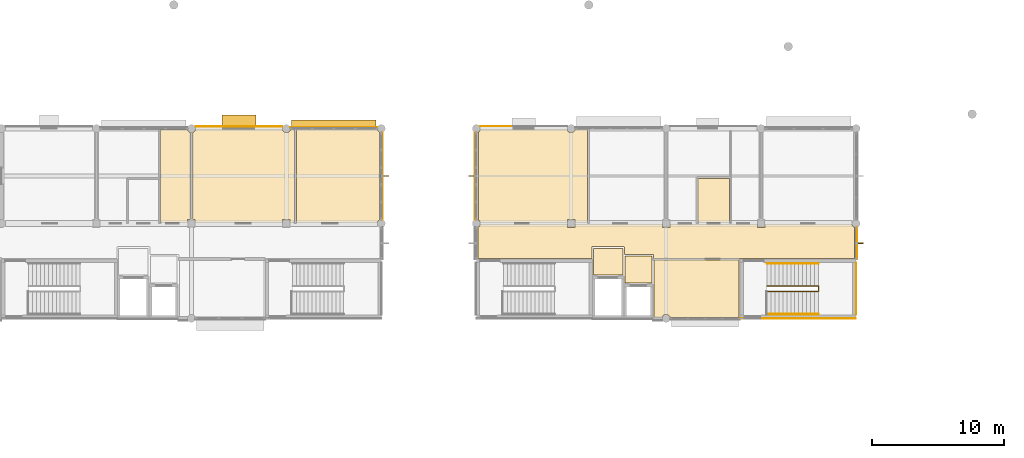
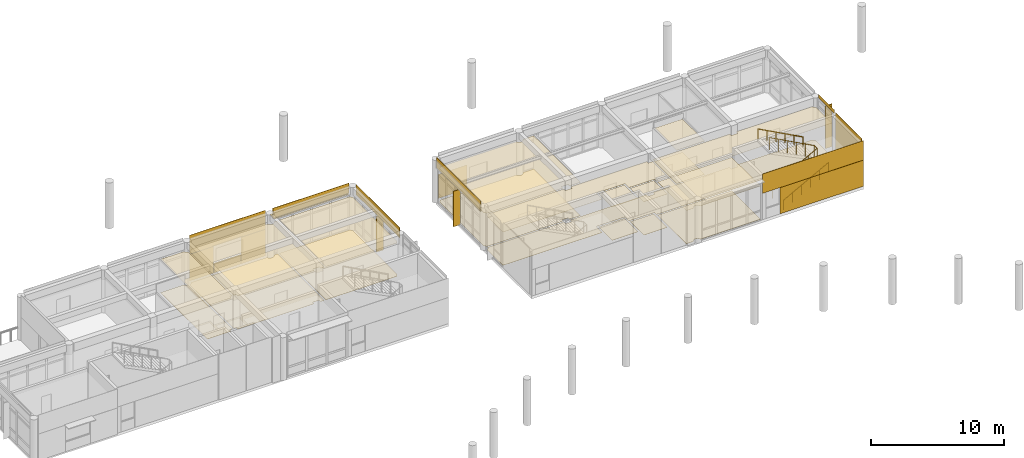
# One storey, part 28 of 29: 30 coverings, 5 shading devices, 3 railings.
"""IFC4 building model written with IfcOpenShell, lengths in metres."""

from ifc_helpers import new_model, si_unit, direction, frame, origin, origin_2d, place, context, subcontext, project, spatial, polyline, rectangle, circle, outline, extrude, material, layer, layer_set, type_object, element, save


model = new_model("IFC4")

# Units and contexts
model_context = context("Model", 3, precision=1e-05, world=origin(), true_north=direction((0.0, 1.0)))
body_context = subcontext(model_context, "Body", "Model", "MODEL_VIEW")
ifc_project = project(units=[si_unit("LENGTHUNIT", "METRE"), si_unit("AREAUNIT", "SQUARE_METRE"), si_unit("VOLUMEUNIT", "CUBIC_METRE"), si_unit("PLANEANGLEUNIT", "RADIAN"), si_unit("MASSUNIT", "GRAM", prefix="KILO")], contexts=[model_context])

# Site, building, storey
site_placement = place(None, origin())
site = spatial("IfcSite", under=ifc_project, at=site_placement, CompositionType="ELEMENT")
building_placement = place(site_placement, origin())
building = spatial("IfcBuilding", under=site, at=building_placement, Name="Namkhue Oval Health Centre", CompositionType="ELEMENT")
storey_placement = place(building_placement, frame((0.0, 0.0, 18.0)))
storey = spatial("IfcBuildingStorey", under=building, at=storey_placement, Name="L04", CompositionType="ELEMENT", Elevation=18.0)

# Coverings
ifc_material_1 = material(Name="Acoustic mineral-fibre cleanroom ceiling", Category="gypsum")
ifc_layer_1 = layer(ifc_material_1, 0.02001953125)
ifc_layer_set_1 = layer_set([ifc_layer_1], Name="Acoustic mineral-fibre cleanroom ceiling")
covering_type_1 = type_object("IfcCoveringType", Name="ACOUSTIC CLEANROOM CEILING 20", PredefinedType="CEILING", material=ifc_layer_set_1)
covering_1_placement = place(storey_placement, frame((0.0, 0.0, 3.050048828125)))
element("IfcCovering", 1, at=covering_1_placement, inside=storey, type_object=covering_type_1, Name="Acoustic Ceiling L04-LL3 Lift Lobby LF-03", PredefinedType="CEILING", context=body_context, shape_type="SweptSolid", body=[
    extrude(outline(polyline([(102.47998046875, 93.280029296875), (102.47998046875, 95.320068359375), (104.719970703125, 95.320068359375), (104.719970703125, 93.280029296875), (102.47998046875, 93.280029296875)])), origin(), (0.0, 0.0, 1.0), 0.02001953125),
])
covering_2_placement = place(storey_placement, frame((0.0, 0.0, 3.050048828125)))
element("IfcCovering", 2, at=covering_2_placement, inside=storey, type_object=covering_type_1, Name="Acoustic Ceiling L04-LL4 Lift Lobby LF-04", PredefinedType="CEILING", context=body_context, shape_type="SweptSolid", body=[
    extrude(outline(polyline([(104.8798828125, 92.679931640625), (104.8798828125, 94.719970703125), (106.919921875, 94.719970703125), (106.919921875, 92.679931640625), (104.8798828125, 92.679931640625)])), origin(), (0.0, 0.0, 1.0), 0.02001953125),
])
covering_3_placement = place(storey_placement, frame((0.0, 0.0, 3.050048828125)))
element("IfcCovering", 3, at=covering_3_placement, inside=storey, type_object=covering_type_1, Name="Acoustic Ceiling L04-204 Public Washroom", PredefinedType="CEILING", context=body_context, shape_type="SweptSolid", body=[
    extrude(outline(polyline([(69.659912109375, 97.280029296875), (69.659912109375, 104.31494140625), (71.702392578125, 104.31494140625), (71.7314453125, 104.2451171875), (71.78076171875, 104.180908203125), (71.844970703125, 104.131591796875), (71.919921875, 104.1005859375), (71.929931640625, 104.09912109375), (71.929931640625, 97.485107421875), (71.715087890625, 97.485107421875), (71.715087890625, 97.280029296875), (69.659912109375, 97.280029296875)])), origin(), (0.0, 0.0, 1.0), 0.02001953125),
])
covering_4_placement = place(storey_placement, frame((0.0, 0.0, 3.050048828125)))
element("IfcCovering", 4, at=covering_4_placement, inside=storey, type_object=covering_type_1, Name="Acoustic Ceiling L04-205 Metabolic Endocrine Clinic", PredefinedType="CEILING", context=body_context, shape_type="SweptSolid", body=[
    extrude(outline(polyline([(79.485107421875, 97.280029296875), (79.485107421875, 97.485107421875), (78.9150390625, 97.485107421875), (78.9150390625, 97.280029296875), (72.284912109375, 97.280029296875), (72.284912109375, 97.485107421875), (72.070068359375, 97.485107421875), (72.070068359375, 104.09912109375), (72.080078125, 104.1005859375), (72.155029296875, 104.131591796875), (72.21923828125, 104.180908203125), (72.2685546875, 104.2451171875), (72.297607421875, 104.31494140625), (78.902587890625, 104.31494140625), (78.931396484375, 104.2451171875), (78.980712890625, 104.180908203125), (79.044921875, 104.131591796875), (79.119873046875, 104.1005859375), (79.199951171875, 104.090087890625), (79.2802734375, 104.1005859375), (79.35498046875, 104.131591796875), (79.419189453125, 104.180908203125), (79.468505859375, 104.2451171875), (79.49755859375, 104.31494140625), (79.81005859375, 104.31494140625), (79.81005859375, 97.280029296875), (79.485107421875, 97.280029296875)])), origin(), (0.0, 0.0, 1.0), 0.02001953125),
])
covering_5_placement = place(storey_placement, frame((0.0, 0.0, 3.050048828125)))
element("IfcCovering", 5, at=covering_5_placement, inside=storey, type_object=covering_type_1, Name="Acoustic Ceiling L04-206 Nutrition Dietetics Consultation", PredefinedType="CEILING", context=body_context, shape_type="SweptSolid", body=[
    extrude(outline(polyline([(79.949951171875, 97.280029296875), (79.949951171875, 104.31494140625), (86.1025390625, 104.31494140625), (86.131591796875, 104.2451171875), (86.180908203125, 104.180908203125), (86.2451171875, 104.131591796875), (86.2451171875, 97.468505859375), (86.180908203125, 97.419189453125), (86.131591796875, 97.35498046875), (86.1005859375, 97.280029296875), (79.949951171875, 97.280029296875)])), origin(), (0.0, 0.0, 1.0), 0.02001953125),
])
covering_6_placement = place(storey_placement, frame((0.0, 0.0, 3.050048828125)))
element("IfcCovering", 6, at=covering_6_placement, inside=storey, type_object=covering_type_1, Name="Acoustic Ceiling L04-V3-C1 V3 Clinical Corridor", PredefinedType="CEILING", context=body_context, shape_type="SweptSolid", body=[
    extrude(outline(polyline([(107.0400390625, 94.800048828125), (107.037109375, 94.815185546875), (107.0283203125, 94.828369140625), (107.015380859375, 94.8369140625), (107.0, 94.840087890625), (104.840087890625, 94.840087890625), (104.83984375, 95.40380859375), (104.8369140625, 95.415283203125), (104.828369140625, 95.42822265625), (104.815185546875, 95.43701171875), (104.803955078125, 95.439697265625), (102.39990234375, 95.43994140625), (102.384765625, 95.43701171875), (102.37158203125, 95.42822265625), (102.363037109375, 95.415283203125), (102.360107421875, 95.39990234375), (102.360107421875, 94.5400390625), (93.72509765625, 94.5400390625), (93.72509765625, 96.919189453125), (93.7548828125, 96.931396484375), (93.819091796875, 96.980712890625), (93.868408203125, 97.044921875), (93.8994140625, 97.119873046875), (93.90478515625, 97.159912109375), (100.514892578125, 97.159912109375), (100.514892578125, 96.9150390625), (101.0849609375, 96.9150390625), (101.0849609375, 97.159912109375), (107.715087890625, 97.159912109375), (107.715087890625, 96.9150390625), (108.284912109375, 96.9150390625), (108.284912109375, 97.159912109375), (114.9150390625, 97.159912109375), (114.9150390625, 96.9150390625), (115.485107421875, 96.9150390625), (115.485107421875, 97.159912109375), (122.09521484375, 97.159912109375), (122.1005859375, 97.119873046875), (122.131591796875, 97.044921875), (122.180908203125, 96.980712890625), (122.2451171875, 96.931396484375), (122.27490234375, 96.919189453125), (122.27490234375, 94.5400390625), (107.0400390625, 94.5400390625), (107.0400390625, 94.800048828125)])), origin(), (0.0, 0.0, 1.0), 0.02001953125),
])
covering_7_placement = place(storey_placement, frame((0.0, 0.0, 3.050048828125)))
element("IfcCovering", 7, at=covering_7_placement, inside=storey, type_object=covering_type_1, Name="Acoustic Ceiling L04-301 Clinical Administration Suite", PredefinedType="CEILING", context=body_context, shape_type="SweptSolid", body=[
    extrude(outline(polyline([(101.0849609375, 97.280029296875), (101.0849609375, 97.485107421875), (100.514892578125, 97.485107421875), (100.514892578125, 97.280029296875), (93.8994140625, 97.280029296875), (93.868408203125, 97.35498046875), (93.819091796875, 97.419189453125), (93.7548828125, 97.468505859375), (93.7548828125, 104.131591796875), (93.819091796875, 104.180908203125), (93.868408203125, 104.2451171875), (93.8974609375, 104.31494140625), (100.50244140625, 104.31494140625), (100.531494140625, 104.2451171875), (100.580810546875, 104.180908203125), (100.64501953125, 104.131591796875), (100.7197265625, 104.1005859375), (100.800048828125, 104.090087890625), (100.880126953125, 104.1005859375), (100.955078125, 104.131591796875), (101.019287109375, 104.180908203125), (101.068603515625, 104.2451171875), (101.097412109375, 104.31494140625), (102.04296875, 104.31494140625), (102.04296875, 97.280029296875), (101.0849609375, 97.280029296875)])), origin(), (0.0, 0.0, 1.0), 0.02001953125),
])
covering_8_placement = place(storey_placement, frame((0.0, 0.0, 3.050048828125)))
element("IfcCovering", 8, at=covering_8_placement, inside=storey, type_object=covering_type_1, Name="Acoustic Ceiling L04-304 Accessible WC", PredefinedType="CEILING", context=body_context, shape_type="SweptSolid", body=[
    extrude(outline(polyline([(112.820068359375, 100.6201171875), (112.820068359375, 97.280029296875), (110.39990234375, 97.280029296875), (110.39990234375, 100.6201171875), (112.820068359375, 100.6201171875)])), origin(), (0.0, 0.0, 1.0), 0.02001953125),
])
covering_9_placement = place(storey_placement, frame((0.0, 0.0, 3.050048828125)))
element("IfcCovering", 9, at=covering_9_placement, inside=storey, type_object=covering_type_1, Name="Acoustic Ceiling L04-307 Medical Director Consultation Office", PredefinedType="CEILING", context=body_context, shape_type="SweptSolid", body=[
    extrude(outline(polyline([(108.297607421875, 90.0849609375), (108.2685546875, 90.155029296875), (108.21923828125, 90.21923828125), (108.155029296875, 90.2685546875), (108.080078125, 90.29931640625), (108.0, 90.31005859375), (107.919921875, 90.29931640625), (107.844970703125, 90.2685546875), (107.78076171875, 90.21923828125), (107.7314453125, 90.155029296875), (107.702392578125, 90.0849609375), (107.080078125, 90.0849609375), (107.080078125, 94.419921875), (113.52001953125, 94.419921875), (113.52001953125, 90.0849609375), (108.297607421875, 90.0849609375)])), origin(), (0.0, 0.0, 1.0), 0.02001953125),
])
ifc_material_2 = material(Name="Homogeneous anti-bacterial clinical vinyl flooring", Category="plastic")
ifc_layer_2 = layer(ifc_material_2, 0.014892578125)
ifc_layer_set_2 = layer_set([ifc_layer_2], Name="Homogeneous anti-bacterial clinical vinyl flooring")
covering_type_2 = type_object("IfcCoveringType", Name="CLINICAL ANTIBACTERIAL VINYL FLOORING 15", PredefinedType="FLOORING", material=ifc_layer_set_2)
covering_10_placement = place(storey_placement, origin())
element("IfcCovering", 10, at=covering_10_placement, inside=storey, type_object=covering_type_2, Name="Clinical Flooring L04-LL3 Lift Lobby LF-03", PredefinedType="FLOORING", context=body_context, shape_type="SweptSolid", body=[
    extrude(outline(polyline([(102.47998046875, 93.280029296875), (102.47998046875, 95.320068359375), (104.719970703125, 95.320068359375), (104.719970703125, 93.280029296875), (102.47998046875, 93.280029296875)])), origin(), (0.0, 0.0, 1.0), 0.014892578125),
])
covering_11_placement = place(storey_placement, origin())
element("IfcCovering", 11, at=covering_11_placement, inside=storey, type_object=covering_type_2, Name="Clinical Flooring L04-LL4 Lift Lobby LF-04", PredefinedType="FLOORING", context=body_context, shape_type="SweptSolid", body=[
    extrude(outline(polyline([(104.8798828125, 92.679931640625), (104.8798828125, 94.719970703125), (106.919921875, 94.719970703125), (106.919921875, 92.679931640625), (104.8798828125, 92.679931640625)])), origin(), (0.0, 0.0, 1.0), 0.014892578125),
])
covering_12_placement = place(storey_placement, origin())
element("IfcCovering", 12, at=covering_12_placement, inside=storey, type_object=covering_type_2, Name="Clinical Flooring L04-204 Public Washroom", PredefinedType="FLOORING", context=body_context, shape_type="SweptSolid", body=[
    extrude(outline(polyline([(69.659912109375, 97.280029296875), (69.659912109375, 104.31494140625), (71.702392578125, 104.31494140625), (71.7314453125, 104.2451171875), (71.78076171875, 104.180908203125), (71.844970703125, 104.131591796875), (71.919921875, 104.1005859375), (71.929931640625, 104.09912109375), (71.929931640625, 97.485107421875), (71.715087890625, 97.485107421875), (71.715087890625, 97.280029296875), (69.659912109375, 97.280029296875)])), origin(), (0.0, 0.0, 1.0), 0.014892578125),
])
covering_13_placement = place(storey_placement, origin())
element("IfcCovering", 13, at=covering_13_placement, inside=storey, type_object=covering_type_2, Name="Clinical Flooring L04-205 Metabolic Endocrine Clinic", PredefinedType="FLOORING", context=body_context, shape_type="SweptSolid", body=[
    extrude(outline(polyline([(79.485107421875, 97.280029296875), (79.485107421875, 97.485107421875), (78.9150390625, 97.485107421875), (78.9150390625, 97.280029296875), (72.284912109375, 97.280029296875), (72.284912109375, 97.485107421875), (72.070068359375, 97.485107421875), (72.070068359375, 104.09912109375), (72.080078125, 104.1005859375), (72.155029296875, 104.131591796875), (72.21923828125, 104.180908203125), (72.2685546875, 104.2451171875), (72.297607421875, 104.31494140625), (78.902587890625, 104.31494140625), (78.931396484375, 104.2451171875), (78.980712890625, 104.180908203125), (79.044921875, 104.131591796875), (79.119873046875, 104.1005859375), (79.199951171875, 104.090087890625), (79.2802734375, 104.1005859375), (79.35498046875, 104.131591796875), (79.419189453125, 104.180908203125), (79.468505859375, 104.2451171875), (79.49755859375, 104.31494140625), (79.81005859375, 104.31494140625), (79.81005859375, 97.280029296875), (79.485107421875, 97.280029296875)])), origin(), (0.0, 0.0, 1.0), 0.014892578125),
])
covering_14_placement = place(storey_placement, origin())
element("IfcCovering", 14, at=covering_14_placement, inside=storey, type_object=covering_type_2, Name="Clinical Flooring L04-206 Nutrition Dietetics Consultation", PredefinedType="FLOORING", context=body_context, shape_type="SweptSolid", body=[
    extrude(outline(polyline([(79.949951171875, 97.280029296875), (79.949951171875, 104.31494140625), (86.1025390625, 104.31494140625), (86.131591796875, 104.2451171875), (86.180908203125, 104.180908203125), (86.2451171875, 104.131591796875), (86.2451171875, 97.468505859375), (86.180908203125, 97.419189453125), (86.131591796875, 97.35498046875), (86.1005859375, 97.280029296875), (79.949951171875, 97.280029296875)])), origin(), (0.0, 0.0, 1.0), 0.014892578125),
])
covering_15_placement = place(storey_placement, origin())
element("IfcCovering", 15, at=covering_15_placement, inside=storey, type_object=covering_type_2, Name="Clinical Flooring L04-V3-C1 V3 Clinical Corridor", PredefinedType="FLOORING", context=body_context, shape_type="SweptSolid", body=[
    extrude(outline(polyline([(107.0400390625, 94.800048828125), (107.037109375, 94.815185546875), (107.0283203125, 94.828369140625), (107.015380859375, 94.8369140625), (107.0, 94.840087890625), (104.840087890625, 94.840087890625), (104.83984375, 95.40380859375), (104.8369140625, 95.415283203125), (104.828369140625, 95.42822265625), (104.815185546875, 95.43701171875), (104.803955078125, 95.439697265625), (102.39990234375, 95.43994140625), (102.384765625, 95.43701171875), (102.37158203125, 95.42822265625), (102.363037109375, 95.415283203125), (102.360107421875, 95.39990234375), (102.360107421875, 94.5400390625), (93.72509765625, 94.5400390625), (93.72509765625, 96.919189453125), (93.7548828125, 96.931396484375), (93.819091796875, 96.980712890625), (93.868408203125, 97.044921875), (93.8994140625, 97.119873046875), (93.90478515625, 97.159912109375), (100.514892578125, 97.159912109375), (100.514892578125, 96.9150390625), (101.0849609375, 96.9150390625), (101.0849609375, 97.159912109375), (107.715087890625, 97.159912109375), (107.715087890625, 96.9150390625), (108.284912109375, 96.9150390625), (108.284912109375, 97.159912109375), (114.9150390625, 97.159912109375), (114.9150390625, 96.9150390625), (115.485107421875, 96.9150390625), (115.485107421875, 97.159912109375), (122.09521484375, 97.159912109375), (122.1005859375, 97.119873046875), (122.131591796875, 97.044921875), (122.180908203125, 96.980712890625), (122.2451171875, 96.931396484375), (122.27490234375, 96.919189453125), (122.27490234375, 94.5400390625), (107.0400390625, 94.5400390625), (107.0400390625, 94.800048828125)])), origin(), (0.0, 0.0, 1.0), 0.014892578125),
])
covering_16_placement = place(storey_placement, origin())
element("IfcCovering", 16, at=covering_16_placement, inside=storey, type_object=covering_type_2, Name="Clinical Flooring L04-301 Clinical Administration Suite", PredefinedType="FLOORING", context=body_context, shape_type="SweptSolid", body=[
    extrude(outline(polyline([(101.0849609375, 97.280029296875), (101.0849609375, 97.485107421875), (100.514892578125, 97.485107421875), (100.514892578125, 97.280029296875), (93.8994140625, 97.280029296875), (93.868408203125, 97.35498046875), (93.819091796875, 97.419189453125), (93.7548828125, 97.468505859375), (93.7548828125, 104.131591796875), (93.819091796875, 104.180908203125), (93.868408203125, 104.2451171875), (93.8974609375, 104.31494140625), (100.50244140625, 104.31494140625), (100.531494140625, 104.2451171875), (100.580810546875, 104.180908203125), (100.64501953125, 104.131591796875), (100.7197265625, 104.1005859375), (100.800048828125, 104.090087890625), (100.880126953125, 104.1005859375), (100.955078125, 104.131591796875), (101.019287109375, 104.180908203125), (101.068603515625, 104.2451171875), (101.097412109375, 104.31494140625), (102.04296875, 104.31494140625), (102.04296875, 97.280029296875), (101.0849609375, 97.280029296875)])), origin(), (0.0, 0.0, 1.0), 0.014892578125),
])
covering_17_placement = place(storey_placement, origin())
element("IfcCovering", 17, at=covering_17_placement, inside=storey, type_object=covering_type_2, Name="Clinical Flooring L04-304 Accessible WC", PredefinedType="FLOORING", context=body_context, shape_type="SweptSolid", body=[
    extrude(outline(polyline([(112.820068359375, 100.6201171875), (112.820068359375, 97.280029296875), (110.39990234375, 97.280029296875), (110.39990234375, 100.6201171875), (112.820068359375, 100.6201171875)])), origin(), (0.0, 0.0, 1.0), 0.014892578125),
])
covering_18_placement = place(storey_placement, origin())
element("IfcCovering", 18, at=covering_18_placement, inside=storey, type_object=covering_type_2, Name="Clinical Flooring L04-307 Medical Director Consultation Office", PredefinedType="FLOORING", context=body_context, shape_type="SweptSolid", body=[
    extrude(outline(polyline([(108.297607421875, 90.0849609375), (108.2685546875, 90.155029296875), (108.21923828125, 90.21923828125), (108.155029296875, 90.2685546875), (108.080078125, 90.29931640625), (108.0, 90.31005859375), (107.919921875, 90.29931640625), (107.844970703125, 90.2685546875), (107.78076171875, 90.21923828125), (107.7314453125, 90.155029296875), (107.702392578125, 90.0849609375), (107.080078125, 90.0849609375), (107.080078125, 94.419921875), (113.52001953125, 94.419921875), (113.52001953125, 90.0849609375), (108.297607421875, 90.0849609375)])), origin(), (0.0, 0.0, 1.0), 0.014892578125),
])

# Railings
ifc_material_3 = material(Name="Brushed stainless steel 316L balustrade with laminated glass infill", Category="steel")
railing_type_1 = type_object("IfcRailingType", Name="INTERIOR BALUSTRADE GUARD 1150", PredefinedType="BALUSTRADE", material=ifc_material_3)
railing_1_placement = place(storey_placement, frame((115.64990234375, 92.0400390625, 0.0)))
element("IfcRailing", 19, at=railing_1_placement, inside=storey, type_object=railing_type_1, Name="Stair ST-06 L04 Inner Well Guard", PredefinedType="BALUSTRADE", context=body_context, shape_type="SweptSolid", body=[
    extrude(circle(Radius=0.02392578125, at=origin_2d()), frame((0.0, 0.0, 1.1259765625), z_axis=(0.880469330154, 0.0, 0.474103109733), x_axis=(0.0, 1.0, 0.0)), (0.0, 0.0, 1.0), 4.4296875),
    extrude(circle(Radius=0.02392578125, at=origin_2d()), frame((3.900146484375, 0.0, 3.22607421875), z_axis=(0.0, 1.0, 0.0), x_axis=(-1.0, 0.0, 0.0)), (0.0, 0.0, 1.0), 0.419921875),
    extrude(circle(Radius=0.02392578125, at=origin_2d()), frame((3.900146484375, 0.419921875, 3.22607421875), z_axis=(-0.88049233674, 0.0, 0.474060381114), x_axis=(0.0, -1.0, 0.0)), (0.0, 0.0, 1.0), 4.429443359375),
    extrude(circle(Radius=0.02099609375, at=origin_2d()), origin(), (0.0, 0.0, 1.0), 1.101806640625),
    extrude(circle(Radius=0.02099609375, at=origin_2d()), frame((0.780029296875, 0.0, 0.419921875)), (0.0, 0.0, 1.0), 1.101806640625),
    extrude(circle(Radius=0.02099609375, at=origin_2d()), frame((1.56005859375, 0.0, 0.840087890625)), (0.0, 0.0, 1.0), 1.101806640625),
    extrude(circle(Radius=0.02099609375, at=origin_2d()), frame((2.340087890625, 0.0, 1.260009765625)), (0.0, 0.0, 1.0), 1.101806640625),
    extrude(circle(Radius=0.02099609375, at=origin_2d()), frame((3.1201171875, 0.0, 1.68017578125)), (0.0, 0.0, 1.0), 1.101806640625),
    extrude(circle(Radius=0.02099609375, at=origin_2d()), frame((3.900146484375, 0.0, 2.10009765625)), (0.0, 0.0, 1.0), 1.101806640625),
    extrude(circle(Radius=0.02099609375, at=origin_2d()), frame((3.900146484375, 0.419921875, 2.10009765625)), (0.0, 0.0, 1.0), 1.101806640625),
    extrude(circle(Radius=0.02099609375, at=origin_2d()), frame((3.1201171875, 0.419921875, 2.52001953125)), (0.0, 0.0, 1.0), 1.101806640625),
    extrude(circle(Radius=0.02099609375, at=origin_2d()), frame((2.340087890625, 0.419921875, 2.93994140625)), (0.0, 0.0, 1.0), 1.101806640625),
    extrude(circle(Radius=0.02099609375, at=origin_2d()), frame((1.56005859375, 0.419921875, 3.360107421875)), (0.0, 0.0, 1.0), 1.101806640625),
    extrude(circle(Radius=0.02099609375, at=origin_2d()), frame((0.780029296875, 0.419921875, 3.780029296875)), (0.0, 0.0, 1.0), 1.101806640625),
    extrude(circle(Radius=0.02099609375, at=origin_2d()), frame((0.0, 0.419921875, 4.199951171875)), (0.0, 0.0, 1.0), 1.101806640625),
])
ifc_material_4 = material(Name="Brushed stainless steel 304 tubular handrail", Category="steel")
railing_type_2 = type_object("IfcRailingType", Name="INTERIOR STAIR HANDRAIL 900", PredefinedType="HANDRAIL", material=ifc_material_4)
railing_2_placement = place(storey_placement, frame((115.64990234375, 90.320068359375, 0.0)))
element("IfcRailing", 20, at=railing_2_placement, inside=storey, type_object=railing_type_2, Name="Stair ST-06 L04 Flight 1 Handrail", PredefinedType="HANDRAIL", context=body_context, shape_type="SweptSolid", body=[
    extrude(circle(Radius=0.02392578125, at=origin_2d()), frame((0.0, 0.0, 0.8759765625), z_axis=(0.880469330154, 0.0, 0.474103109733), x_axis=(0.0, 1.0, 0.0)), (0.0, 0.0, 1.0), 4.4296875),
    extrude(circle(Radius=0.02099609375, at=origin_2d()), origin(), (0.0, 0.0, 1.0), 0.851806640625),
    extrude(circle(Radius=0.02099609375, at=origin_2d()), frame((0.780029296875, 0.0, 0.419921875)), (0.0, 0.0, 1.0), 0.851806640625),
    extrude(circle(Radius=0.02099609375, at=origin_2d()), frame((1.56005859375, 0.0, 0.840087890625)), (0.0, 0.0, 1.0), 0.851806640625),
    extrude(circle(Radius=0.02099609375, at=origin_2d()), frame((2.340087890625, 0.0, 1.260009765625)), (0.0, 0.0, 1.0), 0.851806640625),
    extrude(circle(Radius=0.02099609375, at=origin_2d()), frame((3.1201171875, 0.0, 1.68017578125)), (0.0, 0.0, 1.0), 0.851806640625),
    extrude(circle(Radius=0.02099609375, at=origin_2d()), frame((3.900146484375, 0.0, 2.10009765625)), (0.0, 0.0, 1.0), 0.851806640625),
])
railing_3_placement = place(storey_placement, frame((119.550048828125, 94.179931640625, 2.10009765625)))
element("IfcRailing", 21, at=railing_3_placement, inside=storey, type_object=railing_type_2, Name="Stair ST-06 L04 Flight 2 Handrail", PredefinedType="HANDRAIL", context=body_context, shape_type="SweptSolid", body=[
    extrude(circle(Radius=0.02392578125, at=origin_2d()), frame((0.0, 0.0, 0.8759765625), z_axis=(-0.88049233674, 0.0, 0.474060381114), x_axis=(0.0, -1.0, 0.0)), (0.0, 0.0, 1.0), 4.429443359375),
    extrude(circle(Radius=0.02099609375, at=origin_2d()), origin(), (0.0, 0.0, 1.0), 0.851806640625),
    extrude(circle(Radius=0.02099609375, at=origin_2d()), frame((-0.780029296875, 0.0, 0.419921875)), (0.0, 0.0, 1.0), 0.851806640625),
    extrude(circle(Radius=0.02099609375, at=origin_2d()), frame((-1.56005859375, 0.0, 0.83984375)), (0.0, 0.0, 1.0), 0.851806640625),
    extrude(circle(Radius=0.02099609375, at=origin_2d()), frame((-2.340087890625, 0.0, 1.260009765625)), (0.0, 0.0, 1.0), 0.851806640625),
    extrude(circle(Radius=0.02099609375, at=origin_2d()), frame((-3.1201171875, 0.0, 1.679931640625)), (0.0, 0.0, 1.0), 0.851806640625),
    extrude(circle(Radius=0.02099609375, at=origin_2d()), frame((-3.900146484375, 0.0, 2.099853515625)), (0.0, 0.0, 1.0), 0.851806640625),
])

# Shading devices
ifc_material_5 = material(Name="Anodised aluminium EN AW-6063 T6", Category="aluminium")
ifc_layer_3 = layer(ifc_material_5, 0.06005859375)
ifc_layer_set_3 = layer_set([ifc_layer_3], Name="Anodised aluminium EN AW-6063 T6")
shading_device_type_1 = type_object("IfcShadingDeviceType", Name="MONSOON SUN LOUVRE 900", PredefinedType="JALOUSIE", material=ifc_layer_set_3)
shading_device_1_placement = place(storey_placement, frame((75.60009765625, 104.989990234375, 2.4599609375), z_axis=(0.0, 0.0, 1.0), x_axis=(-1.0, 0.0, 0.0)))
element("IfcShadingDevice", 22, at=shading_device_1_placement, inside=storey, type_object=shading_device_type_1, Name="Volume V2 L04 Window Monsoon Louvre 104", PredefinedType="JALOUSIE", context=body_context, shape_type="SweptSolid", body=[
    extrude(rectangle(XDim=2.590087890625, YDim=0.89990234375, at=origin_2d()), origin(), (0.0, 0.0, 1.0), 0.06005859375),
])
ifc_layer_4 = layer(ifc_material_5, 0.050048828125)
ifc_layer_set_4 = layer_set([ifc_layer_4], Name="Anodised aluminium EN AW-6063 T6")
shading_device_type_2 = type_object("IfcShadingDeviceType", Name="STORM SHUTTER LOUVRE 650", PredefinedType="SHUTTER", material=ifc_layer_set_4)
shading_device_2_placement = place(storey_placement, frame((82.800048828125, 104.72509765625, 3.219970703125), z_axis=(0.0, 0.0, 1.0), x_axis=(-1.0, 0.0, 0.0)))
element("IfcShadingDevice", 23, at=shading_device_2_placement, inside=storey, type_object=shading_device_type_2, Name="Volume V2 L04 Horizontal Monsoon Sun Louvre 103", PredefinedType="SHUTTER", context=body_context, shape_type="SweptSolid", body=[
    extrude(rectangle(XDim=6.409912109375, YDim=0.64990234375, at=origin_2d()), origin(), (0.0, 0.0, 1.0), 0.06005859375),
])
shading_device_type_3 = type_object("IfcShadingDeviceType", Name="VERTICAL SOLAR FIN 600", PredefinedType="USERDEFINED", material=ifc_material_5)
shading_device_3_placement = place(storey_placement, frame((86.659912109375, 100.800048828125, 0.0), z_axis=(0.0, 0.0, 1.0), x_axis=(1.0, 0.0, 0.0)))
element("IfcShadingDevice", 24, at=shading_device_3_placement, inside=storey, type_object=shading_device_type_3, Name="Volume V2 L04 Extruded Aluminium Solar Fin 102", ObjectType="SOLAR FIN", PredefinedType="USERDEFINED", context=body_context, shape_type="SweptSolid", body=[
    extrude(rectangle(XDim=0.60009765625, YDim=0.06005859375, at=origin_2d()), origin(), (0.0, 0.0, 1.0), 3.2900390625),
])
shading_device_4_placement = place(storey_placement, frame((122.659912109375, 95.70361328125, 0.0), z_axis=(0.0, 0.0, 1.0), x_axis=(1.0, 0.0, 0.0)))
element("IfcShadingDevice", 25, at=shading_device_4_placement, inside=storey, type_object=shading_device_type_3, Name="Volume V3 L04 Extruded Aluminium Solar Fin 164", ObjectType="SOLAR FIN", PredefinedType="USERDEFINED", context=body_context, shape_type="SweptSolid", body=[
    extrude(rectangle(XDim=0.60009765625, YDim=0.06005859375, at=origin_2d()), origin(), (0.0, 0.0, 1.0), 3.9150390625),
])
shading_device_5_placement = place(storey_placement, frame((93.340087890625, 100.800048828125, 0.0), z_axis=(0.0, 0.0, 1.0), x_axis=(-1.0, 0.0, 0.0)))
element("IfcShadingDevice", 26, at=shading_device_5_placement, inside=storey, type_object=shading_device_type_3, Name="Volume V3 L04 Extruded Aluminium Solar Fin 170", ObjectType="SOLAR FIN", PredefinedType="USERDEFINED", context=body_context, shape_type="SweptSolid", body=[
    extrude(rectangle(XDim=0.60009765625, YDim=0.06005859375, at=origin_2d()), origin(), (0.0, 0.0, 1.0), 3.264892578125),
])

# Coverings
ifc_material_6 = material(Name="White glass-fibre reinforced concrete GRC rainscreen cladding", Category="concrete")
ifc_layer_5 = layer(ifc_material_6, 0.02490234375)
ifc_layer_set_5 = layer_set([ifc_layer_5], Name="White glass-fibre reinforced concrete GRC rainscreen cladding")
covering_type_3 = type_object("IfcCoveringType", Name="WHITE GRC RAINSCREEN CLADDING 25", PredefinedType="CLADDING", material=ifc_layer_set_5)
for number, where, z_axis, x_axis, name in (
    (27, (86.488525390625, 100.800048828125, 3.27490234375), (0.0, 0.0, 1.0), (0.0, 1.0, 0.0), "Volume V2 L04 Curtain Wall Spandrel Cladding 80"),
    (28, (82.800048828125, 104.488525390625, 3.27490234375), (0.0, 0.0, 1.0), (-1.0, 0.0, 0.0), "Volume V2 L04 Curtain Wall Spandrel Cladding 81"),
):
    element("IfcCovering", number, at=place(storey_placement, frame(where, z_axis=z_axis, x_axis=x_axis)), inside=storey, type_object=covering_type_3, Name=name, PredefinedType="CLADDING", context=body_context, shape_type="SweptSolid", body=[
        extrude(rectangle(XDim=6.60009765625, YDim=0.02490234375, at=origin_2d()), origin(), (0.0, 0.0, 1.0), 0.925048828125),
    ])
covering_19_placement = place(storey_placement, frame((75.60009765625, 104.56201171875, 2.455078125), z_axis=(0.0, 0.0, 1.0), x_axis=(-1.0, 0.0, 0.0)))
element("IfcCovering", 29, at=covering_19_placement, inside=storey, type_object=covering_type_3, Name="Volume V2 L04 Facade 45 White GRC Cladding 1", PredefinedType="CLADDING", context=body_context, shape_type="SweptSolid", body=[
    extrude(rectangle(XDim=6.570068359375, YDim=0.02490234375, at=origin_2d()), origin(), (0.0, 0.0, 1.0), 1.735107421875),
])
covering_20_placement = place(storey_placement, frame((77.83740234375, 104.56201171875, 0.010009765625), z_axis=(0.0, 0.0, 1.0), x_axis=(-1.0, 0.0, 0.0)))
element("IfcCovering", 30, at=covering_20_placement, inside=storey, type_object=covering_type_3, Name="Volume V2 L04 Facade 45 White GRC Cladding 2", PredefinedType="CLADDING", context=body_context, shape_type="SweptSolid", body=[
    extrude(rectangle(XDim=2.094970703125, YDim=0.02490234375, at=origin_2d()), origin(), (0.0, 0.0, 1.0), 2.43994140625),
])
covering_21_placement = place(storey_placement, frame((75.60009765625, 104.56201171875, 0.010009765625), z_axis=(0.0, 0.0, 1.0), x_axis=(-1.0, 0.0, 0.0)))
element("IfcCovering", 31, at=covering_21_placement, inside=storey, type_object=covering_type_3, Name="Volume V2 L04 Facade 45 White GRC Cladding 3", PredefinedType="CLADDING", context=body_context, shape_type="SweptSolid", body=[
    extrude(rectangle(XDim=2.3701171875, YDim=0.02490234375, at=origin_2d()), origin(), (0.0, 0.0, 1.0), 0.875),
])
covering_22_placement = place(storey_placement, frame((73.362548828125, 104.56201171875, 0.010009765625), z_axis=(0.0, 0.0, 1.0), x_axis=(-1.0, 0.0, 0.0)))
element("IfcCovering", 32, at=covering_22_placement, inside=storey, type_object=covering_type_3, Name="Volume V2 L04 Facade 45 White GRC Cladding 4", PredefinedType="CLADDING", context=body_context, shape_type="SweptSolid", body=[
    extrude(rectangle(XDim=2.094970703125, YDim=0.02490234375, at=origin_2d()), origin(), (0.0, 0.0, 1.0), 2.43994140625),
])
covering_23_placement = place(storey_placement, frame((122.488525390625, 95.70361328125, 3.89990234375), z_axis=(0.0, 0.0, 1.0), x_axis=(0.0, 1.0, 0.0)))
element("IfcCovering", 33, at=covering_23_placement, inside=storey, type_object=covering_type_3, Name="Volume V3 L04 Curtain Wall Spandrel Cladding 124", PredefinedType="CLADDING", context=body_context, shape_type="SweptSolid", body=[
    extrude(rectangle(XDim=2.39306640625, YDim=0.02490234375, at=origin_2d()), origin(), (0.0, 0.0, 1.0), 0.300048828125),
])
covering_24_placement = place(storey_placement, frame((95.16259765625, 104.576904296875, 0.01025390625), z_axis=(0.0, 0.0, 1.0), x_axis=(-1.0, 0.0, 0.0)))
element("IfcCovering", 34, at=covering_24_placement, inside=storey, type_object=covering_type_3, Name="Volume V3 L04 Facade 80 White GRC Cladding 4", PredefinedType="CLADDING", context=body_context, shape_type="SweptSolid", body=[
    extrude(rectangle(XDim=2.4951171875, YDim=0.02490234375, at=origin_2d()), origin(), (0.0, 0.0, 1.0), 2.199951171875),
])
covering_25_placement = place(storey_placement, frame((93.511474609375, 100.800048828125, 3.25), z_axis=(0.0, 0.0, 1.0), x_axis=(0.0, -1.0, 0.0)))
element("IfcCovering", 35, at=covering_25_placement, inside=storey, type_object=covering_type_3, Name="Volume V3 L04 Curtain Wall Spandrel Cladding 128", PredefinedType="CLADDING", context=body_context, shape_type="SweptSolid", body=[
    extrude(rectangle(XDim=6.60009765625, YDim=0.02490234375, at=origin_2d()), origin(), (0.0, 0.0, 1.0), 0.949951171875),
])
covering_26_placement = place(storey_placement, frame((118.0, 89.988037109375, 2.4150390625), z_axis=(0.0, 0.0, 1.0), x_axis=(1.0, 0.0, 0.0)))
element("IfcCovering", 36, at=covering_26_placement, inside=storey, type_object=covering_type_3, Name="Core SC-06 L04 Core S White GRC Cladding 1", PredefinedType="CLADDING", context=body_context, shape_type="SweptSolid", body=[
    extrude(rectangle(XDim=8.760009765625, YDim=0.02490234375, at=origin_2d()), origin(), (0.0, 0.0, 1.0), 1.77490234375),
])
covering_27_placement = place(storey_placement, frame((118.762451171875, 89.988037109375, 0.010009765625), z_axis=(0.0, 0.0, 1.0), x_axis=(1.0, 0.0, 0.0)))
element("IfcCovering", 37, at=covering_27_placement, inside=storey, type_object=covering_type_3, Name="Core SC-06 L04 Core S White GRC Cladding 4", PredefinedType="CLADDING", context=body_context, shape_type="SweptSolid", body=[
    extrude(rectangle(XDim=7.235107421875, YDim=0.02490234375, at=origin_2d()), origin(), (0.0, 0.0, 1.0), 2.39990234375),
])
covering_28_placement = place(storey_placement, frame((122.412109375, 92.25, 0.01025390625), z_axis=(0.0, 0.0, 1.0), x_axis=(0.0, 1.0, 0.0)))
element("IfcCovering", 38, at=covering_28_placement, inside=storey, type_object=covering_type_3, Name="Core SC-06 L04 Core E White GRC Cladding 1", PredefinedType="CLADDING", context=body_context, shape_type="SweptSolid", body=[
    extrude(rectangle(XDim=3.9599609375, YDim=0.02490234375, at=origin_2d()), origin(), (0.0, 0.0, 1.0), 4.179931640625),
])

save(model, "model.ifc")
